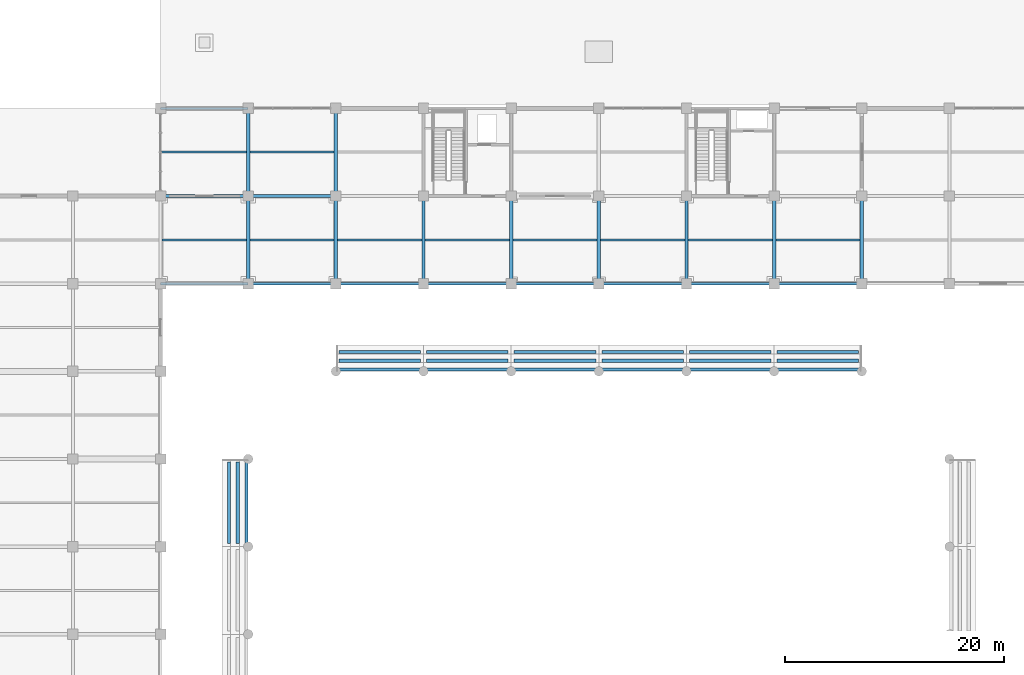
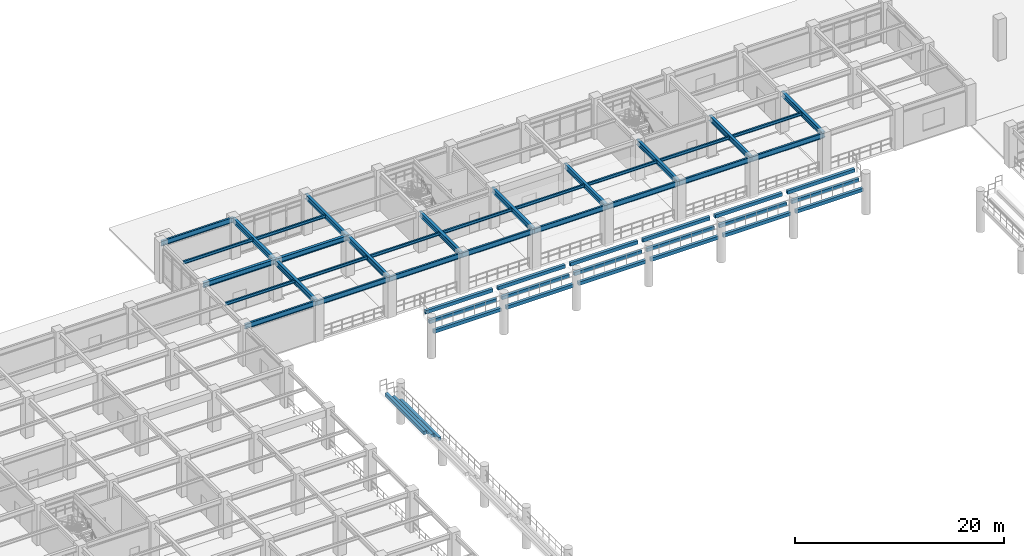
# One storey, part 41 of 109: 52 beams.
"""IFC4 building model written with IfcOpenShell, lengths in metres."""

from ifc_helpers import new_model, si_unit, direction, frame, origin, origin_2d, place, context, subcontext, project, spatial, rectangle, i_section, extrude, material, material_profile, profile_set, type_object, element, save


model = new_model("IFC4")

# Units and contexts
model_context = context("Model", 3, precision=1e-05, world=origin(), true_north=direction((0.0, 1.0)))
body_context = subcontext(model_context, "Body", "Model", "MODEL_VIEW")
ifc_project = project(units=[si_unit("LENGTHUNIT", "METRE"), si_unit("AREAUNIT", "SQUARE_METRE"), si_unit("VOLUMEUNIT", "CUBIC_METRE"), si_unit("PLANEANGLEUNIT", "RADIAN"), si_unit("MASSUNIT", "GRAM", prefix="KILO")], contexts=[model_context])

# Site, building, storey
site_placement = place(None, origin())
site = spatial("IfcSite", under=ifc_project, at=site_placement, CompositionType="ELEMENT")
building_placement = place(site_placement, origin())
building = spatial("IfcBuilding", under=site, at=building_placement, Name="Haebicheon Civic Stadium", CompositionType="ELEMENT")
storey_placement = place(building_placement, frame((0.0, 0.0, 9.60009765625)))
storey = spatial("IfcBuildingStorey", under=building, at=storey_placement, Name="L03", CompositionType="ELEMENT", Elevation=9.60009765625)

# Beams
ifc_material_1 = material(Name="Precast concrete C40/50", Category="concrete")
ifc_material_profile_1 = material_profile(ifc_material_1, rectangle(XDim=0.300048828125, YDim=0.39990234375, at=origin_2d()), Name="PC-LN-300x400")
ifc_profile_set_1 = profile_set([ifc_material_profile_1], Name="Precast concrete C40/50")
beam_type_1 = type_object("IfcBeamType", Name="BM-LN-300x400", PredefinedType="LINTEL", material=ifc_profile_set_1)
for number, where, z_axis, x_axis, name in (
    (1, (71.840087890625, 128.280029296875, 2.760009765625), (0.0, 1.0, 0.0), (-1.0, 0.0, 0.0), "TIER-W-U precast step carrier beam 11.1"),
    (2, (71.0400390625, 128.280029296875, 3.40380859375), (0.0, 1.0, 0.0), (-1.0, 0.0, 0.0), "TIER-W-U precast step carrier beam 11.2"),
    (3, (70.239990234375, 128.280029296875, 4.048828125), (0.0, 1.0, 0.0), (-1.0, 0.0, 0.0), "TIER-W-U precast step carrier beam 11.3"),
    (4, (80.280029296875, 144.159912109375, 2.760009765625), (1.0, 0.0, 0.0), (0.0, 1.0, 0.0), "TIER-N-U precast step carrier beam 1.1"),
    (5, (80.280029296875, 144.9599609375, 3.40380859375), (1.0, 0.0, 0.0), (0.0, 1.0, 0.0), "TIER-N-U precast step carrier beam 1.2"),
    (6, (80.280029296875, 145.760009765625, 4.048828125), (1.0, 0.0, 0.0), (0.0, 1.0, 0.0), "TIER-N-U precast step carrier beam 1.3"),
    (7, (88.280029296875, 144.159912109375, 2.760009765625), (1.0, 0.0, 0.0), (0.0, 1.0, 0.0), "TIER-N-U precast step carrier beam 2.1"),
    (8, (88.280029296875, 144.9599609375, 3.40380859375), (1.0, 0.0, 0.0), (0.0, 1.0, 0.0), "TIER-N-U precast step carrier beam 2.2"),
    (9, (88.280029296875, 145.760009765625, 4.048828125), (1.0, 0.0, 0.0), (0.0, 1.0, 0.0), "TIER-N-U precast step carrier beam 2.3"),
    (10, (96.280029296875, 144.159912109375, 2.760009765625), (1.0, 0.0, 0.0), (0.0, 1.0, 0.0), "TIER-N-U precast step carrier beam 3.1"),
    (11, (96.280029296875, 144.9599609375, 3.40380859375), (1.0, 0.0, 0.0), (0.0, 1.0, 0.0), "TIER-N-U precast step carrier beam 3.2"),
    (12, (96.280029296875, 145.760009765625, 4.048828125), (1.0, 0.0, 0.0), (0.0, 1.0, 0.0), "TIER-N-U precast step carrier beam 3.3"),
    (13, (104.280029296875, 144.159912109375, 2.760009765625), (1.0, 0.0, 0.0), (0.0, 1.0, 0.0), "TIER-N-U precast step carrier beam 4.1"),
    (14, (104.280029296875, 144.9599609375, 3.40380859375), (1.0, 0.0, 0.0), (0.0, 1.0, 0.0), "TIER-N-U precast step carrier beam 4.2"),
    (15, (104.280029296875, 145.760009765625, 4.048828125), (1.0, 0.0, 0.0), (0.0, 1.0, 0.0), "TIER-N-U precast step carrier beam 4.3"),
    (16, (112.280029296875, 144.159912109375, 2.760009765625), (1.0, 0.0, 0.0), (0.0, 1.0, 0.0), "TIER-N-U precast step carrier beam 5.1"),
    (17, (112.280029296875, 144.9599609375, 3.40380859375), (1.0, 0.0, 0.0), (0.0, 1.0, 0.0), "TIER-N-U precast step carrier beam 5.2"),
    (18, (112.280029296875, 145.760009765625, 4.048828125), (1.0, 0.0, 0.0), (0.0, 1.0, 0.0), "TIER-N-U precast step carrier beam 5.3"),
    (19, (120.280029296875, 144.159912109375, 2.760009765625), (1.0, 0.0, 0.0), (0.0, 1.0, 0.0), "TIER-N-U precast step carrier beam 6.1"),
    (20, (120.280029296875, 144.9599609375, 3.40380859375), (1.0, 0.0, 0.0), (0.0, 1.0, 0.0), "TIER-N-U precast step carrier beam 6.2"),
    (21, (120.280029296875, 145.760009765625, 4.048828125), (1.0, 0.0, 0.0), (0.0, 1.0, 0.0), "TIER-N-U precast step carrier beam 6.3"),
):
    element("IfcBeam", number, at=place(storey_placement, frame(where, z_axis=z_axis, x_axis=x_axis)), inside=storey, type_object=beam_type_1, material=ifc_profile_set_1, Name=name, PredefinedType="LINTEL", context=body_context, shape_type="SweptSolid", body=[
        extrude(rectangle(XDim=0.300048828125, YDim=0.39990234375, at=origin_2d()), origin(), (0.0, 0.0, 1.0), 7.43994140625),
    ])
ifc_material_2 = material(Name="Steel SM355 (S355)", Category="steel")
ifc_material_profile_2 = material_profile(ifc_material_2, i_section(OverallWidth=0.300048828125, OverallDepth=0.60009765625, WebThickness=0.011962890625, FlangeThickness=0.02001953125, at=origin_2d()), Name="H-600x300x12x20")
ifc_profile_set_2 = profile_set([ifc_material_profile_2], Name="Steel SM355 (S355)")
beam_type_2 = type_object("IfcBeamType", Name="BM-ST-H600A", PredefinedType="BEAM", material=ifc_profile_set_2)
for number, where, z_axis, x_axis, name in (
    (22, (72.0, 152.0, 4.239990234375), (0.0, 1.0, 0.0), (-1.0, 0.0, 0.0), "L03 girder 10/V-W"),
    (23, (72.0, 160.0, 4.239990234375), (0.0, 1.0, 0.0), (-1.0, 0.0, 0.0), "L03 girder 10/W-X"),
    (24, (80.0, 152.0, 4.239990234375), (0.0, 1.0, 0.0), (-1.0, 0.0, 0.0), "L03 girder 11/V-W"),
    (25, (80.0, 160.0, 4.239990234375), (0.0, 1.0, 0.0), (-1.0, 0.0, 0.0), "L03 girder 11/W-X"),
    (26, (88.0, 152.0, 4.239990234375), (0.0, 1.0, 0.0), (-1.0, 0.0, 0.0), "L03 girder 12/V-W"),
    (27, (96.0, 152.0, 4.239990234375), (0.0, 1.0, 0.0), (-1.0, 0.0, 0.0), "L03 girder 13/V-W"),
    (28, (104.0, 152.0, 4.239990234375), (0.0, 1.0, 0.0), (-1.0, 0.0, 0.0), "L03 girder 14/V-W"),
    (29, (112.0, 152.0, 4.239990234375), (0.0, 1.0, 0.0), (-1.0, 0.0, 0.0), "L03 girder 15/V-W"),
    (30, (120.0, 152.0, 4.239990234375), (0.0, 1.0, 0.0), (-1.0, 0.0, 0.0), "L03 girder 16/V-W"),
    (31, (128.0, 152.0, 4.239990234375), (0.0, 1.0, 0.0), (-1.0, 0.0, 0.0), "L03 girder 17/V-W"),
    (32, (64.0, 160.0, 4.27978515625), (1.0, 0.0, 0.0), (0.0, 1.0, 0.0), "L03 beam W/9-10"),
    (33, (72.0, 160.0, 4.239990234375), (1.0, 0.0, 0.0), (0.0, 1.0, 0.0), "L03 beam W/10-11"),
):
    element("IfcBeam", number, at=place(storey_placement, frame(where, z_axis=z_axis, x_axis=x_axis)), inside=storey, type_object=beam_type_2, material=ifc_profile_set_2, Name=name, PredefinedType="BEAM", context=body_context, shape_type="SweptSolid", body=[
        extrude(i_section(OverallWidth=0.300048828125, OverallDepth=0.60009765625, WebThickness=0.011962890625, FlangeThickness=0.02001953125, at=origin_2d()), origin(), (0.0, 0.0, 1.0), 8.0),
    ])
ifc_material_3 = material(Name="Steel SM355 (S355)", Category="steel")
ifc_material_profile_3 = material_profile(ifc_material_3, i_section(OverallWidth=0.175048828125, OverallDepth=0.35009765625, WebThickness=0.007080078125, FlangeThickness=0.010986328125, at=origin_2d()), Name="H-350x175x7x11")
ifc_profile_set_3 = profile_set([ifc_material_profile_3], Name="Steel SM355 (S355)")
beam_type_3 = type_object("IfcBeamType", Name="JST-ST-H350", PredefinedType="JOIST", material=ifc_profile_set_3)
beam_1_placement = place(storey_placement, frame((64.14990234375, 156.0, 4.40478515625), z_axis=(1.0, 0.0, 0.0), x_axis=(0.0, 1.0, 0.0)))
element("IfcBeam", 34, at=beam_1_placement, inside=storey, type_object=beam_type_3, material=ifc_profile_set_3, Name="L03 secondary joist 08-19", PredefinedType="JOIST", context=body_context, shape_type="SweptSolid", body=[
    extrude(i_section(OverallWidth=0.175048828125, OverallDepth=0.35009765625, WebThickness=0.007080078125, FlangeThickness=0.010986328125, at=origin_2d()), origin(), (0.0, 0.0, 1.0), 7.7001953125),
])
beam_2_placement = place(storey_placement, frame((64.10009765625, 164.0, 4.40478515625), z_axis=(1.0, 0.0, 0.0), x_axis=(0.0, 1.0, 0.0)))
element("IfcBeam", 35, at=beam_2_placement, inside=storey, type_object=beam_type_3, material=ifc_profile_set_3, Name="L03 secondary joist 08-20", PredefinedType="JOIST", context=body_context, shape_type="SweptSolid", body=[
    extrude(i_section(OverallWidth=0.175048828125, OverallDepth=0.35009765625, WebThickness=0.007080078125, FlangeThickness=0.010986328125, at=origin_2d()), origin(), (0.0, 0.0, 1.0), 7.75),
])
for number, where, z_axis, x_axis, name in (
    (36, (72.14990234375, 156.0, 4.364990234375), (1.0, 0.0, 0.0), (0.0, 1.0, 0.0), "L03 secondary joist 09-19"),
    (37, (72.14990234375, 164.0, 4.364990234375), (1.0, 0.0, 0.0), (0.0, 1.0, 0.0), "L03 secondary joist 09-20"),
    (38, (80.14990234375, 156.0, 4.364990234375), (1.0, 0.0, 0.0), (0.0, 1.0, 0.0), "L03 secondary joist 10-19"),
    (39, (88.14990234375, 156.0, 4.364990234375), (1.0, 0.0, 0.0), (0.0, 1.0, 0.0), "L03 secondary joist 11-19"),
    (40, (96.14990234375, 156.0, 4.364990234375), (1.0, 0.0, 0.0), (0.0, 1.0, 0.0), "L03 secondary joist 12-19"),
    (41, (104.14990234375, 156.0, 4.364990234375), (1.0, 0.0, 0.0), (0.0, 1.0, 0.0), "L03 secondary joist 13-19"),
    (42, (112.14990234375, 156.0, 4.364990234375), (1.0, 0.0, 0.0), (0.0, 1.0, 0.0), "L03 secondary joist 14-19"),
    (43, (120.14990234375, 156.0, 4.364990234375), (1.0, 0.0, 0.0), (0.0, 1.0, 0.0), "L03 secondary joist 15-19"),
):
    element("IfcBeam", number, at=place(storey_placement, frame(where, z_axis=z_axis, x_axis=x_axis)), inside=storey, type_object=beam_type_3, material=ifc_profile_set_3, Name=name, PredefinedType="JOIST", context=body_context, shape_type="SweptSolid", body=[
        extrude(i_section(OverallWidth=0.175048828125, OverallDepth=0.35009765625, WebThickness=0.007080078125, FlangeThickness=0.010986328125, at=origin_2d()), origin(), (0.0, 0.0, 1.0), 7.7001953125),
    ])
ifc_material_4 = material(Name="Steel SM355 (S355)", Category="steel")
ifc_material_profile_4 = material_profile(ifc_material_4, i_section(OverallWidth=0.199951171875, OverallDepth=0.60009765625, WebThickness=0.010986328125, FlangeThickness=0.01708984375, at=origin_2d()), Name="H-600x200x11x17")
ifc_profile_set_4 = profile_set([ifc_material_profile_4], Name="Steel SM355 (S355)")
beam_type_4 = type_object("IfcBeamType", Name="SPD-ST-H600B", PredefinedType="SPANDREL", material=ifc_profile_set_4)
for number, where, z_axis, x_axis, name in (
    (44, (64.0, 152.0, 4.27978515625), (1.0, 0.0, 0.0), (0.0, 1.0, 0.0), "L03 beam V/9-10"),
    (45, (64.0, 168.0, 4.27978515625), (1.0, 0.0, 0.0), (0.0, 1.0, 0.0), "L03 beam X/9-10"),
    (46, (72.0, 152.0, 4.239990234375), (1.0, 0.0, 0.0), (0.0, 1.0, 0.0), "L03 beam V/10-11"),
    (47, (80.0, 152.0, 4.239990234375), (1.0, 0.0, 0.0), (0.0, 1.0, 0.0), "L03 beam V/11-12"),
    (48, (88.0, 152.0, 4.239990234375), (1.0, 0.0, 0.0), (0.0, 1.0, 0.0), "L03 beam V/12-13"),
    (49, (96.0, 152.0, 4.239990234375), (1.0, 0.0, 0.0), (0.0, 1.0, 0.0), "L03 beam V/13-14"),
    (50, (104.0, 152.0, 4.239990234375), (1.0, 0.0, 0.0), (0.0, 1.0, 0.0), "L03 beam V/14-15"),
    (51, (112.0, 152.0, 4.239990234375), (1.0, 0.0, 0.0), (0.0, 1.0, 0.0), "L03 beam V/15-16"),
    (52, (120.0, 152.0, 4.239990234375), (1.0, 0.0, 0.0), (0.0, 1.0, 0.0), "L03 beam V/16-17"),
):
    element("IfcBeam", number, at=place(storey_placement, frame(where, z_axis=z_axis, x_axis=x_axis)), inside=storey, type_object=beam_type_4, material=ifc_profile_set_4, Name=name, PredefinedType="SPANDREL", context=body_context, shape_type="SweptSolid", body=[
        extrude(i_section(OverallWidth=0.199951171875, OverallDepth=0.60009765625, WebThickness=0.010986328125, FlangeThickness=0.01708984375, at=origin_2d()), origin(), (0.0, 0.0, 1.0), 8.0),
    ])

save(model, "model.ifc")
